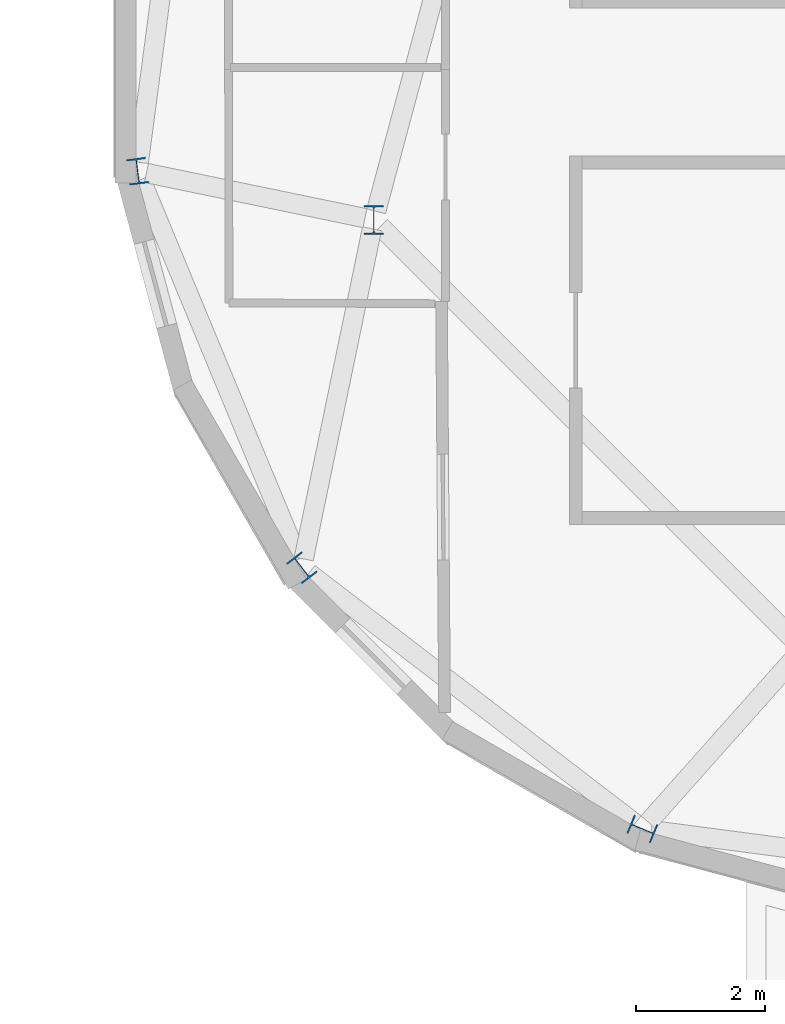
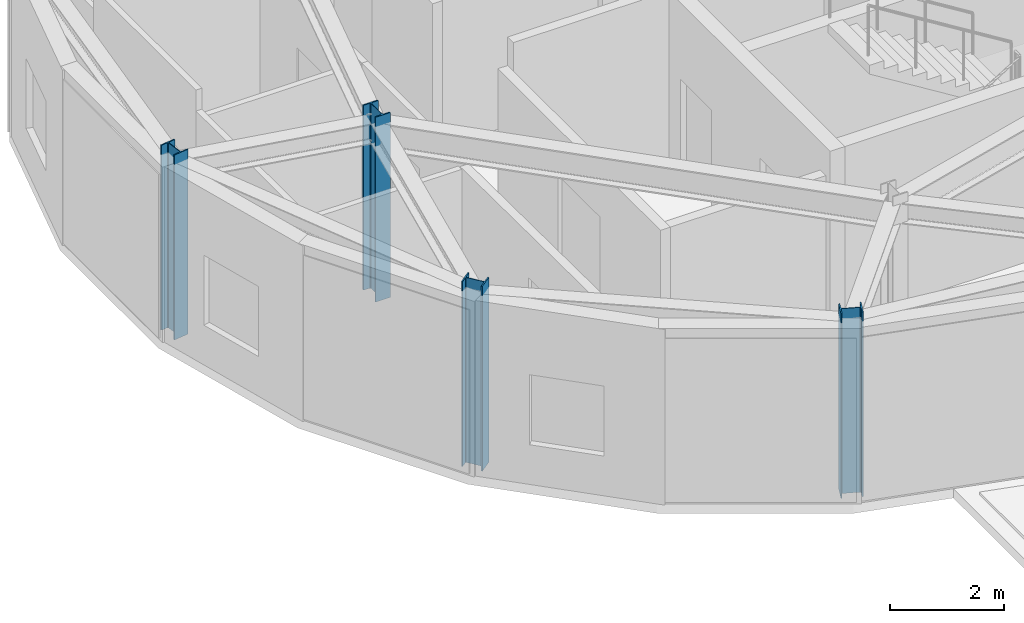
# One storey, part 2 of 44: 4 columns.
"""IFC4 building model written with IfcOpenShell, lengths in metres."""

from ifc_helpers import new_model, si_unit, direction, frame, origin, origin_2d, place, context, subcontext, project, spatial, i_section, extrude, material, material_profile, profile_set, type_object, element, save


model = new_model("IFC4")

# Units and contexts
model_context = context("Model", 3, precision=1e-05, world=origin(), true_north=direction((0.0, 1.0)))
body_context = subcontext(model_context, "Body", "Model", "MODEL_VIEW")
ifc_project = project(units=[si_unit("LENGTHUNIT", "METRE"), si_unit("AREAUNIT", "SQUARE_METRE"), si_unit("VOLUMEUNIT", "CUBIC_METRE"), si_unit("PLANEANGLEUNIT", "RADIAN"), si_unit("MASSUNIT", "GRAM", prefix="KILO")], contexts=[model_context])

# Site, building, storey
site_placement = place(None, origin())
site = spatial("IfcSite", under=ifc_project, at=site_placement, CompositionType="ELEMENT")
building_placement = place(site_placement, origin())
building = spatial("IfcBuilding", under=site, at=building_placement, Name="Varnklinge Art Gallery", CompositionType="ELEMENT")
storey_placement = place(building_placement, frame((0.0, 0.0, 13.679931640625)))
storey = spatial("IfcBuildingStorey", under=building, at=storey_placement, Name="L03", CompositionType="ELEMENT", Elevation=13.679931640625)

# Columns
ifc_material_1 = material(Name="Steel S355", Category="steel")
ifc_material_profile_1 = material_profile(ifc_material_1, i_section(OverallWidth=0.300048828125, OverallDepth=0.449951171875, WebThickness=0.013916015625, FlangeThickness=0.02587890625, FilletRadius=0.027099609375, at=origin_2d()), Name="HEB 450")
ifc_profile_set_1 = profile_set([ifc_material_profile_1], Name="Steel S355")
column_type_1 = type_object("IfcColumnType", Name="COL-06", PredefinedType="COLUMN", material=ifc_profile_set_1)
column_placement = place(storey_placement, frame((66.42041015625, 36.067138671875, 0.0), z_axis=(0.0, 0.0, 1.0), x_axis=(1.0, 0.0, 0.0)))
element("IfcColumn", 1, at=column_placement, inside=storey, type_object=column_type_1, Name="L03 Column V4CI-4", PredefinedType="COLUMN", context=body_context, shape_type="SweptSolid", body=[
    extrude(i_section(OverallWidth=0.300048828125, OverallDepth=0.449951171875, WebThickness=0.013916015625, FlangeThickness=0.02587890625, FilletRadius=0.027099609375, at=origin_2d()), origin(), (0.0, 0.0, 1.0), 3.9599609375),
])
ifc_material_2 = material(Name="Steel S355", Category="steel")
ifc_material_profile_2 = material_profile(ifc_material_2, i_section(OverallWidth=0.300048828125, OverallDepth=0.39990234375, WebThickness=0.013427734375, FlangeThickness=0.02392578125, FilletRadius=0.027099609375, at=origin_2d()), Name="HEB 400")
ifc_profile_set_2 = profile_set([ifc_material_profile_2], Name="Steel S355")
column_type_2 = type_object("IfcColumnType", Name="COL-E3", PredefinedType="COLUMN", material=ifc_profile_set_2)
for number, where, z_axis, x_axis, name in (
    (2, (62.760009765625, 36.82275390625, 0.0), (0.0, 0.0, 1.0), (-0.991444861374, -0.13052619222, 0.0), "L03 Column V4CP-07"),
    (3, (65.305419921875, 30.677490234375, 0.0), (0.0, 0.0, 1.0), (-0.793353340291, -0.608761429009, 0.0), "L03 Column V4CP-08"),
    (4, (70.58251953125, 26.628173828125, 0.0), (0.0, 0.0, 1.0), (-0.382683432365, -0.923879532511, 0.0), "L03 Column V4CP-09"),
):
    element("IfcColumn", number, at=place(storey_placement, frame(where, z_axis=z_axis, x_axis=x_axis)), inside=storey, type_object=column_type_2, Name=name, PredefinedType="COLUMN", context=body_context, shape_type="SweptSolid", body=[
        extrude(i_section(OverallWidth=0.300048828125, OverallDepth=0.39990234375, WebThickness=0.013427734375, FlangeThickness=0.02392578125, FilletRadius=0.027099609375, at=origin_2d()), origin(), (0.0, 0.0, 1.0), 3.9599609375),
    ])

save(model, "model.ifc")
